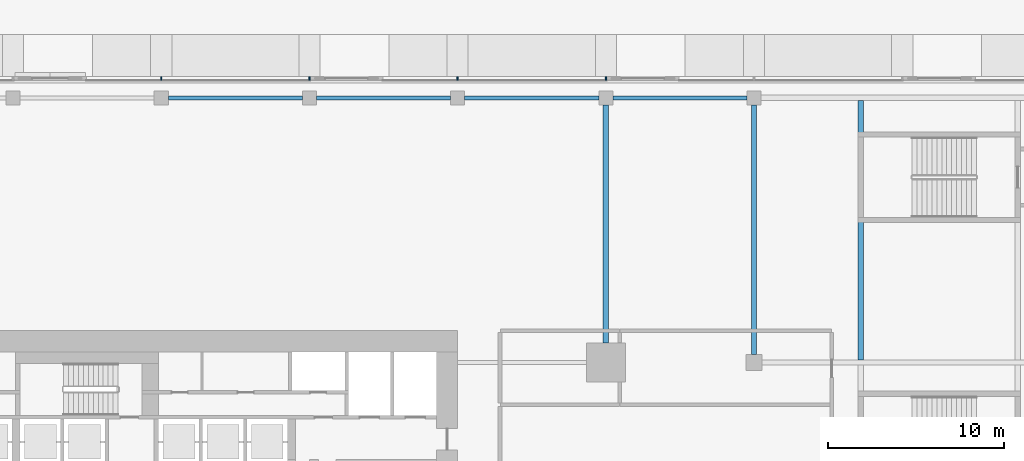
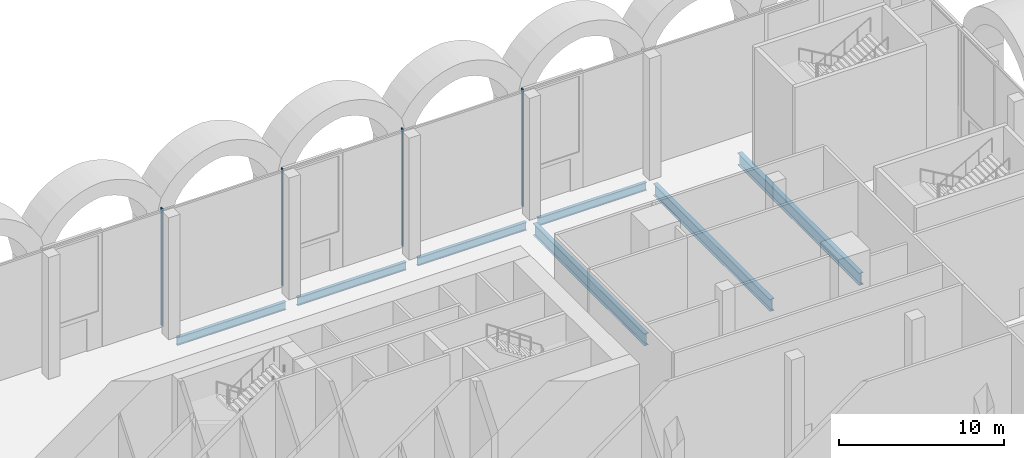
# One storey, part 15 of 43: 7 beams, 4 members, 1 element without a shape of its own.
"""IFC4 building model written with IfcOpenShell, lengths in metres."""

from ifc_helpers import new_model, si_unit, direction, frame, origin, origin_2d, place, context, subcontext, project, spatial, rectangle, i_section, extrude, material, material_profile, profile_set, type_object, element, aggregate, save


model = new_model("IFC4")

# Units and contexts
model_context = context("Model", 3, precision=1e-05, world=origin(), true_north=direction((0.0, 1.0)))
body_context = subcontext(model_context, "Body", "Model", "MODEL_VIEW")
ifc_project = project(units=[si_unit("LENGTHUNIT", "METRE"), si_unit("AREAUNIT", "SQUARE_METRE"), si_unit("VOLUMEUNIT", "CUBIC_METRE"), si_unit("PLANEANGLEUNIT", "RADIAN"), si_unit("MASSUNIT", "GRAM", prefix="KILO")], contexts=[model_context])

# Site, building, storey
site_placement = place(None, origin())
site = spatial("IfcSite", under=ifc_project, at=site_placement, CompositionType="ELEMENT")
building_placement = place(site_placement, origin())
building = spatial("IfcBuilding", under=site, at=building_placement, Name="Saffron Gate Tower", CompositionType="ELEMENT")
storey_placement = place(building_placement, origin())
storey = spatial("IfcBuildingStorey", under=building, at=storey_placement, Name="L00", CompositionType="ELEMENT", Elevation=0.0)

# Beams
ifc_material_1 = material(Name="Structural steel S355", Category="steel")
ifc_material_profile_1 = material_profile(ifc_material_1, i_section(OverallWidth=0.219970703125, OverallDepth=0.60009765625, WebThickness=0.011962890625, FlangeThickness=0.01904296875, FilletRadius=0.02392578125, at=origin_2d()))
ifc_profile_set_1 = profile_set([ifc_material_profile_1], Name="Structural steel S355")
beam_type_1 = type_object("IfcBeamType", Name="B15 IPE 600", PredefinedType="BEAM", material=ifc_profile_set_1)
beam_1_placement = place(storey_placement, frame((92.199951171875, 88.800048828125, -0.60009765625), z_axis=(1.0, 0.0, 0.0), x_axis=(0.0, 1.0, 0.0)))
element("IfcBeam", 1, at=beam_1_placement, inside=storey, type_object=beam_type_1, Name="B15 PODIUM EDGE BEAM", PredefinedType="BEAM", context=body_context, shape_type="SweptSolid", body=[
    extrude(i_section(OverallWidth=0.219970703125, OverallDepth=0.60009765625, WebThickness=0.011962890625, FlangeThickness=0.01904296875, FilletRadius=0.02392578125, at=origin_2d()), origin(), (0.0, 0.0, 1.0), 7.60009765625),
])
beam_2_placement = place(storey_placement, frame((100.60009765625, 88.800048828125, -0.60009765625), z_axis=(1.0, 0.0, 0.0), x_axis=(0.0, 1.0, 0.0)))
element("IfcBeam", 2, at=beam_2_placement, inside=storey, type_object=beam_type_1, Name="B15 PODIUM EDGE BEAM", PredefinedType="BEAM", context=body_context, shape_type="SweptSolid", body=[
    extrude(i_section(OverallWidth=0.219970703125, OverallDepth=0.60009765625, WebThickness=0.011962890625, FlangeThickness=0.01904296875, FilletRadius=0.02392578125, at=origin_2d()), origin(), (0.0, 0.0, 1.0), 7.599853515625),
])
for number, where, z_axis, x_axis, name in (
    (3, (109.0, 88.800048828125, -0.60009765625), (1.0, 0.0, 0.0), (0.0, 1.0, 0.0), "B15 PODIUM EDGE BEAM"),
    (4, (117.39990234375, 88.800048828125, -0.60009765625), (1.0, 0.0, 0.0), (0.0, 1.0, 0.0), "B15 PODIUM EDGE BEAM"),
):
    element("IfcBeam", number, at=place(storey_placement, frame(where, z_axis=z_axis, x_axis=x_axis)), inside=storey, type_object=beam_type_1, Name=name, PredefinedType="BEAM", context=body_context, shape_type="SweptSolid", body=[
        extrude(i_section(OverallWidth=0.219970703125, OverallDepth=0.60009765625, WebThickness=0.011962890625, FlangeThickness=0.01904296875, FilletRadius=0.02392578125, at=origin_2d()), origin(), (0.0, 0.0, 1.0), 7.60009765625),
    ])
ifc_material_profile_2 = material_profile(ifc_material_1, i_section(OverallWidth=0.300048828125, OverallDepth=0.889892578125, WebThickness=0.01611328125, FlangeThickness=0.030029296875, FilletRadius=0.030029296875, at=origin_2d()))
ifc_profile_set_2 = profile_set([ifc_material_profile_2], Name="Structural steel S355")
beam_type_2 = type_object("IfcBeamType", Name="B19 HEA 900", PredefinedType="BEAM", material=ifc_profile_set_2)
beam_3_placement = place(storey_placement, frame((117.0, 88.39990234375, -0.7451171875), z_axis=(0.0, -1.0, 0.0), x_axis=(1.0, 0.0, 0.0)))
element("IfcBeam", 5, at=beam_3_placement, inside=storey, type_object=beam_type_2, Name="B19 PODIUM RING GIRDER", PredefinedType="BEAM", context=body_context, shape_type="SweptSolid", body=[
    extrude(i_section(OverallWidth=0.300048828125, OverallDepth=0.889892578125, WebThickness=0.01611328125, FlangeThickness=0.030029296875, FilletRadius=0.030029296875, at=origin_2d()), origin(), (0.0, 0.0, 1.0), 13.5),
])
beam_4_placement = place(storey_placement, frame((125.39990234375, 88.39990234375, -0.7451171875), z_axis=(0.0, -1.0, 0.0), x_axis=(1.0, 0.0, 0.0)))
element("IfcBeam", 6, at=beam_4_placement, inside=storey, type_object=beam_type_2, Name="B19 PODIUM RING GIRDER", PredefinedType="BEAM", context=body_context, shape_type="SweptSolid", body=[
    extrude(i_section(OverallWidth=0.300048828125, OverallDepth=0.889892578125, WebThickness=0.01611328125, FlangeThickness=0.030029296875, FilletRadius=0.030029296875, at=origin_2d()), origin(), (0.0, 0.0, 1.0), 14.14990234375),
])
ifc_material_profile_3 = material_profile(ifc_material_1, i_section(OverallWidth=0.300048828125, OverallDepth=0.89990234375, WebThickness=0.0185546875, FlangeThickness=0.034912109375, FilletRadius=0.030029296875, at=origin_2d()))
ifc_profile_set_3 = profile_set([ifc_material_profile_3], Name="Structural steel S355")
beam_type_3 = type_object("IfcBeamType", Name="B20 HEB 900", PredefinedType="BEAM", material=ifc_profile_set_3)
beam_5_placement = place(storey_placement, frame((131.449951171875, 73.93994140625, -0.75), z_axis=(0.0, 1.0, 0.0), x_axis=(-1.0, 0.0, 0.0)))
element("IfcBeam", 7, at=beam_5_placement, inside=storey, type_object=beam_type_3, Name="B20 STAIR ENCLOSURE HEADER BEAM", PredefinedType="BEAM", context=body_context, shape_type="SweptSolid", body=[
    extrude(i_section(OverallWidth=0.300048828125, OverallDepth=0.89990234375, WebThickness=0.0185546875, FlangeThickness=0.034912109375, FilletRadius=0.030029296875, at=origin_2d()), origin(), (0.0, 0.0, 1.0), 14.719970703125),
])

# Curtain wall, members
ifc_material_2 = material(Name="Aluminium, bronze anodised", Category="aluminium")
curtain_wall_type = type_object("IfcCurtainWallType", Name="CWS5 curtain wall podium ring base", PredefinedType="NOTDEFINED", material=ifc_material_2)
curtain_wall_placement = place(storey_placement, origin())
curtain_wall = element("IfcCurtainWall", 8, at=curtain_wall_placement, inside=storey, type_object=curtain_wall_type, Name="CWS5 run 3", PredefinedType="NOTDEFINED")
ifc_material_profile_4 = material_profile(ifc_material_2, rectangle(XDim=0.199951171875, YDim=0.080078125, at=origin_2d()))
ifc_profile_set_4 = profile_set([ifc_material_profile_4], Name="Aluminium, bronze anodised")
member_type = type_object("IfcMemberType", Name="CWS5 mullion 80x200", PredefinedType="MULLION", material=ifc_profile_set_4)
member_1_placement = place(storey_placement, frame((117.0, 89.89990234375, 0.0), z_axis=(0.0, 0.0, 1.0), x_axis=(0.0, -1.0, 0.0)))
member_1 = element("IfcMember", 9, at=member_1_placement, type_object=member_type, Name="CWS5 mullion 5", PredefinedType="MULLION", context=body_context, shape_type="SweptSolid", body=[
    extrude(rectangle(XDim=0.199951171875, YDim=0.080078125, at=origin_2d()), origin(), (0.0, 0.0, 1.0), 8.699951171875),
])
member_2_placement = place(storey_placement, frame((108.60009765625, 89.89990234375, 0.0), z_axis=(0.0, 0.0, 1.0), x_axis=(0.0, -1.0, 0.0)))
member_2 = element("IfcMember", 10, at=member_2_placement, type_object=member_type, Name="CWS5 mullion 6", PredefinedType="MULLION", context=body_context, shape_type="SweptSolid", body=[
    extrude(rectangle(XDim=0.199951171875, YDim=0.080078125, at=origin_2d()), origin(), (0.0, 0.0, 1.0), 8.699951171875),
])
member_3_placement = place(storey_placement, frame((100.199951171875, 89.89990234375, 0.0), z_axis=(0.0, 0.0, 1.0), x_axis=(0.0, -1.0, 0.0)))
member_3 = element("IfcMember", 11, at=member_3_placement, type_object=member_type, Name="CWS5 mullion 7", PredefinedType="MULLION", context=body_context, shape_type="SweptSolid", body=[
    extrude(rectangle(XDim=0.199951171875, YDim=0.080078125, at=origin_2d()), origin(), (0.0, 0.0, 1.0), 8.699951171875),
])
member_4_placement = place(storey_placement, frame((91.800048828125, 89.89990234375, 0.0), z_axis=(0.0, 0.0, 1.0), x_axis=(0.0, -1.0, 0.0)))
member_4 = element("IfcMember", 12, at=member_4_placement, type_object=member_type, Name="CWS5 mullion 8", PredefinedType="MULLION", context=body_context, shape_type="SweptSolid", body=[
    extrude(rectangle(XDim=0.199951171875, YDim=0.080078125, at=origin_2d()), origin(), (0.0, 0.0, 1.0), 8.699951171875),
])
aggregate(curtain_wall, [member_1, member_2, member_3, member_4])

save(model, "model.ifc")
